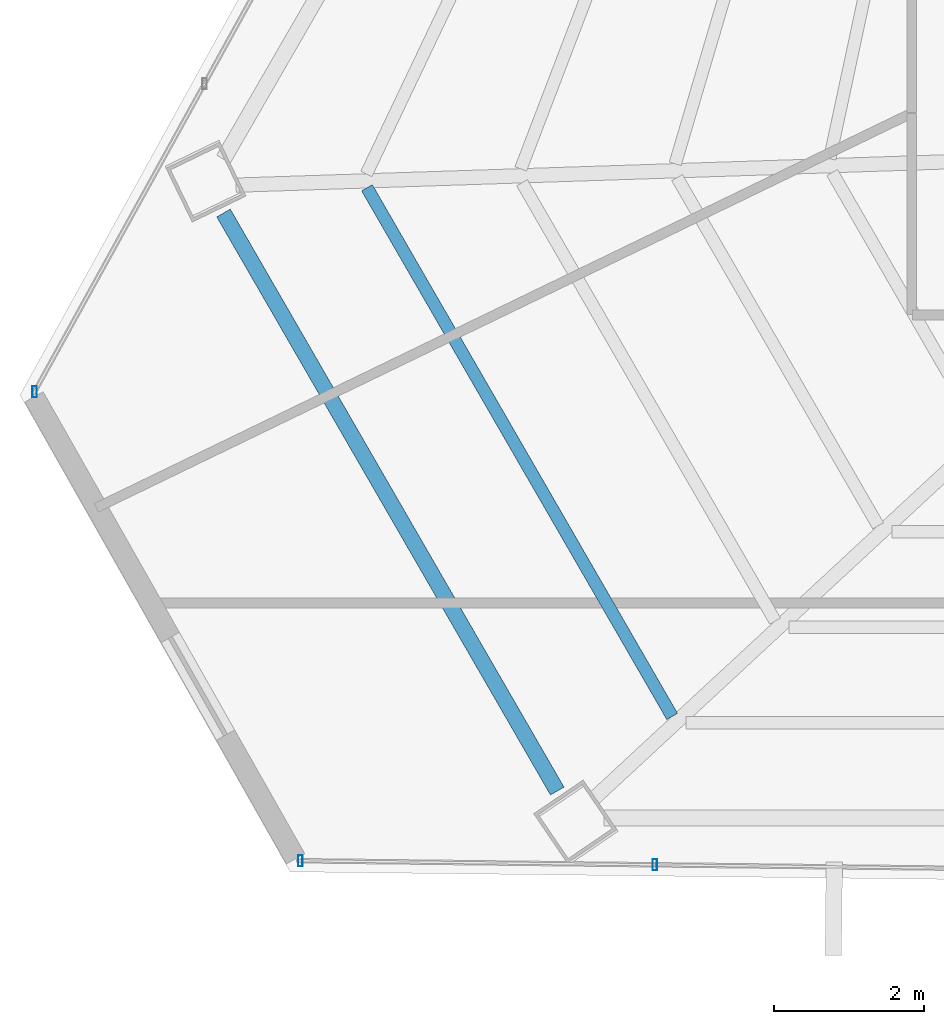
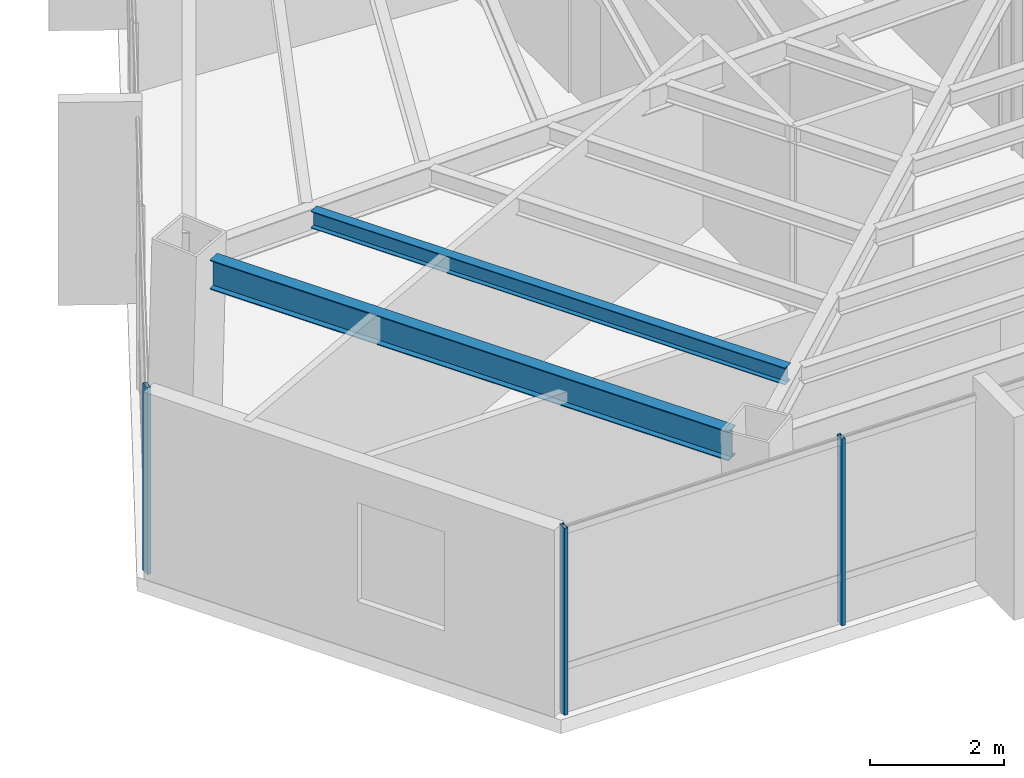
# One storey, part 3 of 41: 3 members, 2 beams, 2 elements without a shape of their own.
"""IFC4 building model written with IfcOpenShell, lengths in metres."""

from ifc_helpers import new_model, si_unit, direction, frame, origin, origin_2d, place, context, subcontext, project, spatial, hollow_rectangle, i_section, extrude, source, transform, mapped, material, material_profile, profile_set, type_object, type_shapes, element, aggregate, save


model = new_model("IFC4")

# Units and contexts
model_context = context("Model", 3, precision=1e-05, world=origin(), true_north=direction((0.0, 1.0)))
body_context = subcontext(model_context, "Body", "Model", "MODEL_VIEW")
ifc_project = project(units=[si_unit("LENGTHUNIT", "METRE"), si_unit("AREAUNIT", "SQUARE_METRE"), si_unit("VOLUMEUNIT", "CUBIC_METRE"), si_unit("PLANEANGLEUNIT", "RADIAN"), si_unit("MASSUNIT", "GRAM", prefix="KILO")], contexts=[model_context])

# Site, building, storey
site_placement = place(None, origin())
site = spatial("IfcSite", under=ifc_project, at=site_placement, CompositionType="ELEMENT")
building_placement = place(site_placement, origin())
building = spatial("IfcBuilding", under=site, at=building_placement, Name="Caelisora Broadcast Tower", CompositionType="ELEMENT")
storey_placement = place(building_placement, frame((0.0, 0.0, 209.60009765625)))
storey = spatial("IfcBuildingStorey", under=building, at=storey_placement, Name="L55", CompositionType="ELEMENT", Elevation=209.60009765625)

# Beams
ifc_material_1 = material(Name="Steel Grade 350 (AS/NZS 3679.1)", Category="steel")
ifc_material_profile_1 = material_profile(ifc_material_1, i_section(OverallWidth=0.208984375, OverallDepth=0.532958984375, WebThickness=0.01025390625, FlangeThickness=0.015625, at=origin_2d()), Name="Steel Grade 350 (AS/NZS 3679.1)")
ifc_profile_set_1 = profile_set([ifc_material_profile_1], Name="Steel Grade 350 (AS/NZS 3679.1)")
beam_type_1 = type_object("IfcBeamType", Name="PG05", PredefinedType="BEAM", material=ifc_profile_set_1)
shared_shape_1 = source(origin(), body_context, "Body", "SweptSolid", [
    extrude(i_section(OverallWidth=0.208984375, OverallDepth=0.532958984375, WebThickness=0.01025390625, FlangeThickness=0.015625, at=origin_2d()), origin(), (0.0, 0.0, 1.0), 8.921630859375),
])
type_shapes(beam_type_1, [shared_shape_1])
beam_1_placement = place(storey_placement, frame((16.198486328125, 16.563720703125, 3.13330078125), z_axis=(0.499991708921, -0.866030190588, 0.0), x_axis=(0.866030190588, 0.499991708921, 0.0)))
element("IfcBeam", 1, at=beam_1_placement, inside=storey, type_object=beam_type_1, Name="L55 beam PG05", PredefinedType="BEAM", context=body_context, shape_type="MappedRepresentation", body=[
    mapped(shared_shape_1, transform((0.0, 0.0, 0.0), scale=1.0)),
])
ifc_material_profile_2 = material_profile(ifc_material_1, i_section(OverallWidth=0.166015625, OverallDepth=0.30712890625, WebThickness=0.006591796875, FlangeThickness=0.01171875, at=origin_2d()), Name="Steel Grade 350 (AS/NZS 3679.1)")
ifc_profile_set_2 = profile_set([ifc_material_profile_2], Name="Steel Grade 350 (AS/NZS 3679.1)")
beam_type_2 = type_object("IfcBeamType", Name="SB03", PredefinedType="JOIST", material=ifc_profile_set_2)
shared_shape_2 = source(origin(), body_context, "Body", "SweptSolid", [
    extrude(i_section(OverallWidth=0.166015625, OverallDepth=0.30712890625, WebThickness=0.006591796875, FlangeThickness=0.01171875, at=origin_2d()), origin(), (0.0, 0.0, 1.0), 8.159912109375),
])
type_shapes(beam_type_2, [shared_shape_2])
beam_2_placement = place(storey_placement, frame((18.115966796875, 16.90087890625, 3.246337890625), z_axis=(0.499977989289, -0.866038111301, 0.0), x_axis=(0.866038111301, 0.499977989289, 0.0)))
element("IfcBeam", 2, at=beam_2_placement, inside=storey, type_object=beam_type_2, Name="L55 beam SB03", PredefinedType="JOIST", context=body_context, shape_type="MappedRepresentation", body=[
    mapped(shared_shape_2, transform((0.0, 0.0, 0.0), scale=1.0)),
])

# Curtain wall, members
ifc_material_2 = material(Name="Unitised Aluminium and Low-E Glass Curtain Wall", Category="glass")
curtain_wall_type = type_object("IfcCurtainWallType", Name="CW-Z4", PredefinedType="NOTDEFINED", material=ifc_material_2)
curtain_wall_1_placement = place(storey_placement, origin())
curtain_wall_1 = element("IfcCurtainWall", 3, at=curtain_wall_1_placement, inside=storey, type_object=curtain_wall_type, Name="L55 curtain wall CW-Z4", PredefinedType="NOTDEFINED")
ifc_material_3 = material(Name="Aluminium 6063-T6 Anodised Terracotta Bronze", Category="aluminium")
ifc_material_profile_3 = material_profile(ifc_material_3, hollow_rectangle(XDim=0.06005859375, YDim=0.14990234375, WallThickness=0.00341796875, at=origin_2d()), Name="Aluminium 6063-T6 Anodised Terracotta Bronze")
ifc_profile_set_3 = profile_set([ifc_material_profile_3], Name="Aluminium 6063-T6 Anodised Terracotta Bronze")
member_type = type_object("IfcMemberType", Name="CWM-03", PredefinedType="MULLION", material=ifc_profile_set_3)
shared_shape_3 = source(origin(), body_context, "Body", "SweptSolid", [
    extrude(hollow_rectangle(XDim=0.06005859375, YDim=0.14990234375, WallThickness=0.00341796875, at=origin_2d()), origin(), (0.0, 0.0, 1.0), 3.39990234375),
])
type_shapes(member_type, [shared_shape_3])
member_1_placement = place(storey_placement, frame((21.965576171875, 7.851318359375, 0.0), z_axis=(0.0, 0.0, 1.0), x_axis=(1.0, 0.0, 0.0)))
member_1 = element("IfcMember", 4, at=member_1_placement, type_object=member_type, Name="L55-CW-B07 mullion #2", PredefinedType="MULLION", context=body_context, shape_type="MappedRepresentation", body=[
    mapped(shared_shape_3, transform((0.0, 0.0, 0.0), scale=1.0)),
])
member_2_placement = place(storey_placement, frame((17.22705078125, 7.905517578125, 0.0), z_axis=(0.0, 0.0, 1.0), x_axis=(1.0, 0.0, 0.0)))
member_2 = element("IfcMember", 5, at=member_2_placement, type_object=member_type, Name="L55-CW-B07 mullion #3", PredefinedType="MULLION", context=body_context, shape_type="MappedRepresentation", body=[
    mapped(shared_shape_3, transform((0.0, 0.0, 0.0), scale=1.0)),
])
aggregate(curtain_wall_1, [member_1, member_2])

# Curtain wall, member
curtain_wall_2_placement = place(storey_placement, origin())
curtain_wall_2 = element("IfcCurtainWall", 6, at=curtain_wall_2_placement, inside=storey, type_object=curtain_wall_type, Name="L55 curtain wall CW-Z4", PredefinedType="NOTDEFINED")
member_3_placement = place(storey_placement, frame((13.67431640625, 14.17578125, 0.0), z_axis=(0.0, 0.0, 1.0), x_axis=(1.0, 0.0, 0.0)))
member_3 = element("IfcMember", 7, at=member_3_placement, type_object=member_type, Name="L55-CW-B09 mullion #0", PredefinedType="MULLION", context=body_context, shape_type="MappedRepresentation", body=[
    mapped(shared_shape_3, transform((0.0, 0.0, 0.0), scale=1.0)),
])
aggregate(curtain_wall_2, [member_3])

save(model, "model.ifc")
